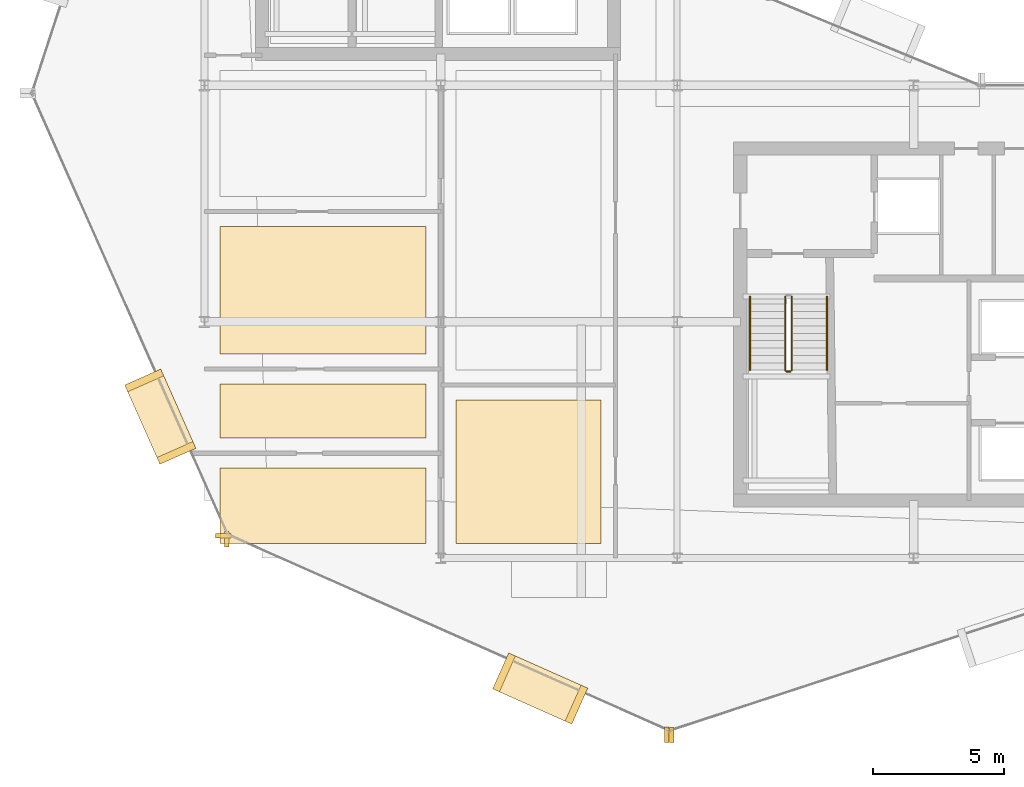
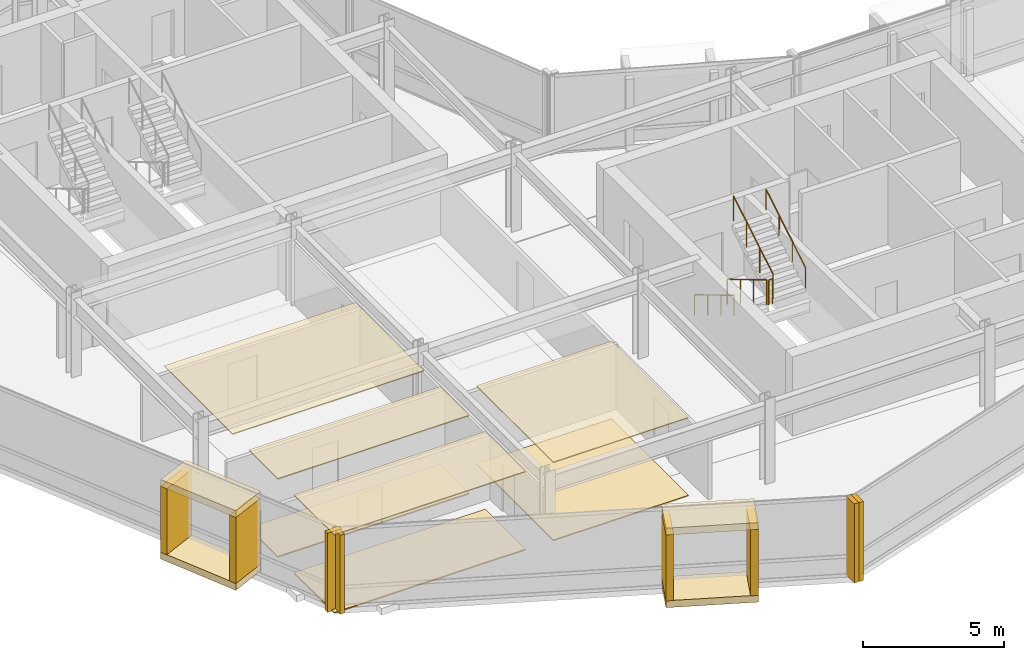
# One storey, part 22 of 27: 19 coverings, 5 railings.
"""IFC4 building model written with IfcOpenShell, lengths in metres."""

from ifc_helpers import new_model, si_unit, direction, frame, origin, origin_2d, place, context, subcontext, project, spatial, polyline, rectangle, circle, outline, extrude, material, layer, layer_set, type_object, element, save


model = new_model("IFC4")

# Units and contexts
model_context = context("Model", 3, precision=1e-05, world=origin(), true_north=direction((0.0, 1.0)))
body_context = subcontext(model_context, "Body", "Model", "MODEL_VIEW")
ifc_project = project(units=[si_unit("LENGTHUNIT", "METRE"), si_unit("AREAUNIT", "SQUARE_METRE"), si_unit("VOLUMEUNIT", "CUBIC_METRE"), si_unit("PLANEANGLEUNIT", "RADIAN"), si_unit("MASSUNIT", "GRAM", prefix="KILO")], contexts=[model_context])

# Site, building, storey
site_placement = place(None, origin())
site = spatial("IfcSite", under=ifc_project, at=site_placement, CompositionType="ELEMENT")
building_placement = place(site_placement, origin())
building = spatial("IfcBuilding", under=site, at=building_placement, Name="Solvaryn Broadcast Tower", CompositionType="ELEMENT")
storey_placement = place(building_placement, frame((0.0, 0.0, 185.300048828125)))
storey = spatial("IfcBuildingStorey", under=building, at=storey_placement, Name="L46", CompositionType="ELEMENT", Elevation=185.300048828125)

# Coverings
ifc_material_1 = material(Name="Micro-Perforated Acoustic Gypsum Ceiling", Category="concrete")
ifc_layer_1 = layer(ifc_material_1, 0.0400390625)
ifc_layer_set_1 = layer_set([ifc_layer_1], Name="CV-CEIL-ACOUSTIC")
covering_type_1 = type_object("IfcCoveringType", Name="CV-CEIL-ACOUSTIC", PredefinedType="CEILING", material=ifc_layer_set_1)
covering_1_placement = place(storey_placement, frame((0.0, 0.0, 3.3798828125)))
element("IfcCovering", 1, at=covering_1_placement, inside=storey, type_object=covering_type_1, Name="L46 Room Acoustic Ceiling 1", PredefinedType="CEILING", context=body_context, shape_type="SweptSolid", body=[
    extrude(outline(polyline([(18.570068359375, 9.570068359375), (24.10009765625, 9.570068359375), (24.10009765625, 15.030029296875), (18.570068359375, 15.030029296875), (18.570068359375, 9.570068359375)])), origin(), (0.0, 0.0, 1.0), 0.0400390625),
])
covering_2_placement = place(storey_placement, frame((0.0, 0.0, 3.3798828125)))
element("IfcCovering", 2, at=covering_2_placement, inside=storey, type_object=covering_type_1, Name="L46 Room Acoustic Ceiling 3", PredefinedType="CEILING", context=body_context, shape_type="SweptSolid", body=[
    extrude(outline(polyline([(9.60009765625, 9.570068359375), (17.429931640625, 9.570068359375), (17.429931640625, 12.429931640625), (9.60009765625, 12.429931640625), (9.60009765625, 9.570068359375)])), origin(), (0.0, 0.0, 1.0), 0.0400390625),
])
covering_3_placement = place(storey_placement, frame((0.0, 0.0, 3.3798828125)))
element("IfcCovering", 3, at=covering_3_placement, inside=storey, type_object=covering_type_1, Name="L46 Room Acoustic Ceiling 4", PredefinedType="CEILING", context=body_context, shape_type="SweptSolid", body=[
    extrude(outline(polyline([(9.60009765625, 13.570068359375), (17.429931640625, 13.570068359375), (17.429931640625, 15.6298828125), (9.60009765625, 15.6298828125), (9.60009765625, 13.570068359375)])), origin(), (0.0, 0.0, 1.0), 0.0400390625),
])
covering_4_placement = place(storey_placement, frame((0.0, 0.0, 3.3798828125)))
element("IfcCovering", 4, at=covering_4_placement, inside=storey, type_object=covering_type_1, Name="L46 Room Acoustic Ceiling 5", PredefinedType="CEILING", context=body_context, shape_type="SweptSolid", body=[
    extrude(outline(polyline([(9.60009765625, 16.77001953125), (17.429931640625, 16.77001953125), (17.429931640625, 21.6298828125), (9.60009765625, 21.6298828125), (9.60009765625, 16.77001953125)])), origin(), (0.0, 0.0, 1.0), 0.0400390625),
])
ifc_material_2 = material(Name="Newsroom Raised Data Access Flooring", Category="steel")
ifc_layer_2 = layer(ifc_material_2, 0.050048828125)
ifc_layer_set_2 = layer_set([ifc_layer_2], Name="CV-FLOOR-RAISED")
covering_type_2 = type_object("IfcCoveringType", Name="CV-FLOOR-RAISED", PredefinedType="FLOORING", material=ifc_layer_set_2)
covering_5_placement = place(storey_placement, origin())
element("IfcCovering", 5, at=covering_5_placement, inside=storey, type_object=covering_type_2, Name="L46 Room Acoustic Floor Finish 1", PredefinedType="FLOORING", context=body_context, shape_type="SweptSolid", body=[
    extrude(outline(polyline([(18.570068359375, 9.570068359375), (24.10009765625, 9.570068359375), (24.10009765625, 15.030029296875), (18.570068359375, 15.030029296875), (18.570068359375, 9.570068359375)])), origin(), (0.0, 0.0, 1.0), 0.050048828125),
])
covering_6_placement = place(storey_placement, origin())
element("IfcCovering", 6, at=covering_6_placement, inside=storey, type_object=covering_type_2, Name="L46 Room Acoustic Floor Finish 3", PredefinedType="FLOORING", context=body_context, shape_type="SweptSolid", body=[
    extrude(outline(polyline([(9.60009765625, 9.570068359375), (17.429931640625, 9.570068359375), (17.429931640625, 12.429931640625), (9.60009765625, 12.429931640625), (9.60009765625, 9.570068359375)])), origin(), (0.0, 0.0, 1.0), 0.050048828125),
])
covering_7_placement = place(storey_placement, origin())
element("IfcCovering", 7, at=covering_7_placement, inside=storey, type_object=covering_type_2, Name="L46 Room Acoustic Floor Finish 4", PredefinedType="FLOORING", context=body_context, shape_type="SweptSolid", body=[
    extrude(outline(polyline([(9.60009765625, 13.570068359375), (17.429931640625, 13.570068359375), (17.429931640625, 15.6298828125), (9.60009765625, 15.6298828125), (9.60009765625, 13.570068359375)])), origin(), (0.0, 0.0, 1.0), 0.050048828125),
])
ifc_material_3 = material(Name="Glazed Architectural Terracotta Rainscreen Cladding", Category="masonry")
ifc_layer_3 = layer(ifc_material_3, 0.280029296875)
ifc_layer_set_3 = layer_set([ifc_layer_3], Name="CV-TC-CLAD")
covering_type_3 = type_object("IfcCoveringType", Name="CV-TC-CLAD", PredefinedType="CLADDING", material=ifc_layer_set_3)
for number, where, z_axis, x_axis, name in (
    (8, (7.322998046875, 14.388916015625, 3.1298828125), (0.0, 0.0, 1.0), (0.405939269498, -0.913900054426, 0.0), "L46 Projecting Stone Window Box Hood 2"),
    (9, (7.322998046875, 14.388916015625, -0.01025390625), (0.0, 0.0, 1.0), (0.405939269498, -0.913900054426, 0.0), "L46 Projecting Stone Window Box Sill 2"),
):
    element("IfcCovering", number, at=place(storey_placement, frame(where, z_axis=z_axis, x_axis=x_axis)), inside=storey, type_object=covering_type_3, Name=name, PredefinedType="CLADDING", context=body_context, shape_type="SweptSolid", body=[
        extrude(rectangle(XDim=3.300048828125, YDim=1.5, at=origin_2d()), origin(), (0.0, 0.0, 1.0), 0.300048828125),
    ])
for number, where, z_axis, x_axis, name in (
    (10, (6.7099609375, 15.76904296875, 0.27978515625), (0.0, 0.0, 1.0), (0.405939269498, -0.913900054426, 0.0), "L46 Projecting Stone Window Box Cheek 2-1"),
    (11, (7.93603515625, 13.009033203125, 0.27978515625), (0.0, 0.0, 1.0), (0.405939269498, -0.913900054426, 0.0), "L46 Projecting Stone Window Box Cheek 2-2"),
):
    element("IfcCovering", number, at=place(storey_placement, frame(where, z_axis=z_axis, x_axis=x_axis)), inside=storey, type_object=covering_type_3, Name=name, PredefinedType="CLADDING", context=body_context, shape_type="SweptSolid", body=[
        extrude(rectangle(XDim=0.280029296875, YDim=1.5, at=origin_2d()), origin(), (0.0, 0.0, 1.0), 2.860107421875),
    ])
for number, where, z_axis, x_axis, name in (
    (12, (21.784912109375, 4.0390625, 3.1298828125), (0.0, 0.0, 1.0), (0.913900054426, -0.405939269498, 0.0), "L46 Projecting Stone Window Box Hood 3"),
    (13, (21.784912109375, 4.0390625, -0.01025390625), (0.0, 0.0, 1.0), (0.913900054426, -0.405939269498, 0.0), "L46 Projecting Stone Window Box Sill 3"),
):
    element("IfcCovering", number, at=place(storey_placement, frame(where, z_axis=z_axis, x_axis=x_axis)), inside=storey, type_object=covering_type_3, Name=name, PredefinedType="CLADDING", context=body_context, shape_type="SweptSolid", body=[
        extrude(rectangle(XDim=3.300048828125, YDim=1.5, at=origin_2d()), origin(), (0.0, 0.0, 1.0), 0.300048828125),
    ])
for number, where, z_axis, x_axis, name in (
    (14, (20.405029296875, 4.652099609375, 0.27978515625), (0.0, 0.0, 1.0), (0.913900054426, -0.405939269498, 0.0), "L46 Projecting Stone Window Box Cheek 3-1"),
    (15, (23.1650390625, 3.426025390625, 0.27978515625), (0.0, 0.0, 1.0), (0.913900054426, -0.405939269498, 0.0), "L46 Projecting Stone Window Box Cheek 3-2"),
):
    element("IfcCovering", number, at=place(storey_placement, frame(where, z_axis=z_axis, x_axis=x_axis)), inside=storey, type_object=covering_type_3, Name=name, PredefinedType="CLADDING", context=body_context, shape_type="SweptSolid", body=[
        extrude(rectangle(XDim=0.280029296875, YDim=1.5, at=origin_2d()), origin(), (0.0, 0.0, 1.0), 2.860107421875),
    ])
ifc_material_4 = material(Name="Extruded Architectural Terracotta Fin", Category="masonry")
ifc_layer_4 = layer(ifc_material_4, 0.179931640625)
ifc_layer_set_4 = layer_set([ifc_layer_4], Name="CV-TC-FIN")
covering_type_4 = type_object("IfcCoveringType", Name="CV-TC-FIN", PredefinedType="USERDEFINED", material=ifc_layer_set_4)
covering_8_placement = place(storey_placement, frame((9.7216796875, 9.852783203125, 0.0), z_axis=(0.0, 0.0, 1.0), x_axis=(1.0, 0.0, 0.0)))
element("IfcCovering", 16, at=covering_8_placement, inside=storey, type_object=covering_type_4, Name="L46 Terracotta Vertical Fin FIN-L46-DR2-M01", ObjectType="FIN", PredefinedType="USERDEFINED", context=body_context, shape_type="SweptSolid", body=[
    extrude(rectangle(XDim=0.580078125, YDim=0.179931640625, at=origin_2d()), origin(), (0.0, 0.0, 1.0), 3.419921875),
])
for number, where, z_axis, x_axis, name in (
    (17, (9.852783203125, 9.7216796875, 0.0), (0.0, 0.0, 1.0), (1.0, 0.0, 0.0), "L46 Terracotta Vertical Fin FIN-L46-DR3-M00"),
    (18, (26.605712890625, 2.281005859375, 0.0), (0.0, 0.0, 1.0), (1.0, 0.0, 0.0), "L46 Terracotta Vertical Fin FIN-L46-DR3-M01"),
    (19, (26.790771484375, 2.271240234375, 0.0), (0.0, 0.0, 1.0), (1.0, 0.0, 0.0), "L46 Terracotta Vertical Fin FIN-L46-DR4-M00"),
):
    element("IfcCovering", number, at=place(storey_placement, frame(where, z_axis=z_axis, x_axis=x_axis)), inside=storey, type_object=covering_type_4, Name=name, ObjectType="FIN", PredefinedType="USERDEFINED", context=body_context, shape_type="SweptSolid", body=[
        extrude(rectangle(XDim=0.179931640625, YDim=0.580078125, at=origin_2d()), origin(), (0.0, 0.0, 1.0), 3.419921875),
    ])

# Railings
ifc_material_5 = material(Name="Painted Steel Stair Well Guard", Category="steel")
railing_type_1 = type_object("IfcRailingType", Name="RL-STAIR-GUARD", PredefinedType="BALUSTRADE", material=ifc_material_5)
railing_1_placement = place(storey_placement, frame((31.110107421875, 18.9599609375, 0.168212890625)))
element("IfcRailing", 20, at=railing_1_placement, inside=storey, type_object=railing_type_1, Name="L46 ST3 stair guard 1", PredefinedType="BALUSTRADE", context=body_context, shape_type="SweptSolid", body=[
    extrude(circle(Radius=0.02392578125, at=origin_2d()), frame((0.0, 0.0, 1.076171875), z_axis=(0.0, -0.857275202839, 0.514858452973), x_axis=(1.0, 0.0, 0.0)), (0.0, 0.0, 1.0), 3.26611328125),
    extrude(circle(Radius=0.02099609375, at=origin_2d()), origin(), (0.0, 0.0, 1.0), 1.052001953125),
    extrude(circle(Radius=0.02099609375, at=origin_2d()), frame((0.0, -0.933349609375, 0.560546875)), (0.0, 0.0, 1.0), 1.052001953125),
    extrude(circle(Radius=0.02099609375, at=origin_2d()), frame((0.0, -1.86669921875, 1.12109375)), (0.0, 0.0, 1.0), 1.052001953125),
    extrude(circle(Radius=0.02099609375, at=origin_2d()), frame((0.0, -2.800048828125, 1.681640625)), (0.0, 0.0, 1.0), 1.052001953125),
])
railing_2_placement = place(storey_placement, frame((31.159912109375, 16.110107421875, 1.849853515625)))
element("IfcRailing", 21, at=railing_2_placement, inside=storey, type_object=railing_type_1, Name="L46 ST3 stair guard 2", PredefinedType="BALUSTRADE", context=body_context, shape_type="SweptSolid", body=[
    extrude(circle(Radius=0.02392578125, at=origin_2d()), frame((0.0, 0.0, 1.076171875), z_axis=(1.0, 0.0, 0.0), x_axis=(0.0, 1.0, 0.0)), (0.0, 0.0, 1.0), 0.150146484375),
    extrude(circle(Radius=0.02099609375, at=origin_2d()), origin(), (0.0, 0.0, 1.0), 1.052001953125),
    extrude(circle(Radius=0.02099609375, at=origin_2d()), frame((0.150146484375, 0.0, 0.0)), (0.0, 0.0, 1.0), 1.052001953125),
])
railing_3_placement = place(storey_placement, frame((31.360107421875, 16.159912109375, 2.01806640625)))
element("IfcRailing", 22, at=railing_3_placement, inside=storey, type_object=railing_type_1, Name="L46 ST3 stair guard 3", PredefinedType="BALUSTRADE", context=body_context, shape_type="SweptSolid", body=[
    extrude(circle(Radius=0.02392578125, at=origin_2d()), frame((0.0, 0.0, 1.076171875), z_axis=(0.0, 0.857242210791, 0.514913383045), x_axis=(-1.0, 0.0, 0.0)), (0.0, 0.0, 1.0), 3.266357421875),
    extrude(circle(Radius=0.02099609375, at=origin_2d()), origin(), (0.0, 0.0, 1.0), 1.052001953125),
    extrude(circle(Radius=0.02099609375, at=origin_2d()), frame((0.0, 0.933349609375, 0.560546875)), (0.0, 0.0, 1.0), 1.052001953125),
    extrude(circle(Radius=0.02099609375, at=origin_2d()), frame((0.0, 1.86669921875, 1.121337890625)), (0.0, 0.0, 1.0), 1.052001953125),
    extrude(circle(Radius=0.02099609375, at=origin_2d()), frame((0.0, 2.800048828125, 1.681884765625)), (0.0, 0.0, 1.0), 1.052001953125),
])
ifc_material_6 = material(Name="Brushed Stainless Steel Tubular Handrail", Category="steel")
railing_type_2 = type_object("IfcRailingType", Name="RL-STAIR-HANDRAIL", PredefinedType="HANDRAIL", material=ifc_material_6)
railing_4_placement = place(storey_placement, frame((29.77001953125, 18.9599609375, 0.168212890625)))
element("IfcRailing", 23, at=railing_4_placement, inside=storey, type_object=railing_type_2, Name="L46 ST3 stair handrail 1", PredefinedType="HANDRAIL", context=body_context, shape_type="SweptSolid", body=[
    extrude(circle(Radius=0.02392578125, at=origin_2d()), frame((0.0, 0.0, 0.8759765625), z_axis=(0.0, -0.857275202839, 0.514858452973), x_axis=(1.0, 0.0, 0.0)), (0.0, 0.0, 1.0), 3.26611328125),
    extrude(circle(Radius=0.02099609375, at=origin_2d()), origin(), (0.0, 0.0, 1.0), 0.851806640625),
    extrude(circle(Radius=0.02099609375, at=origin_2d()), frame((0.0, -0.933349609375, 0.560546875)), (0.0, 0.0, 1.0), 0.851806640625),
    extrude(circle(Radius=0.02099609375, at=origin_2d()), frame((0.0, -1.86669921875, 1.12109375)), (0.0, 0.0, 1.0), 0.851806640625),
    extrude(circle(Radius=0.02099609375, at=origin_2d()), frame((0.0, -2.800048828125, 1.681640625)), (0.0, 0.0, 1.0), 0.851806640625),
])
railing_5_placement = place(storey_placement, frame((32.699951171875, 16.159912109375, 2.01806640625)))
element("IfcRailing", 24, at=railing_5_placement, inside=storey, type_object=railing_type_2, Name="L46 ST3 stair handrail 2", PredefinedType="HANDRAIL", context=body_context, shape_type="SweptSolid", body=[
    extrude(circle(Radius=0.02392578125, at=origin_2d()), frame((0.0, 0.0, 0.8759765625), z_axis=(0.0, 0.857242210791, 0.514913383045), x_axis=(-1.0, 0.0, 0.0)), (0.0, 0.0, 1.0), 3.266357421875),
    extrude(circle(Radius=0.02099609375, at=origin_2d()), origin(), (0.0, 0.0, 1.0), 0.851806640625),
    extrude(circle(Radius=0.02099609375, at=origin_2d()), frame((0.0, 0.933349609375, 0.560546875)), (0.0, 0.0, 1.0), 0.851806640625),
    extrude(circle(Radius=0.02099609375, at=origin_2d()), frame((0.0, 1.86669921875, 1.121337890625)), (0.0, 0.0, 1.0), 0.851806640625),
    extrude(circle(Radius=0.02099609375, at=origin_2d()), frame((0.0, 2.800048828125, 1.681884765625)), (0.0, 0.0, 1.0), 0.851806640625),
])

save(model, "model.ifc")
